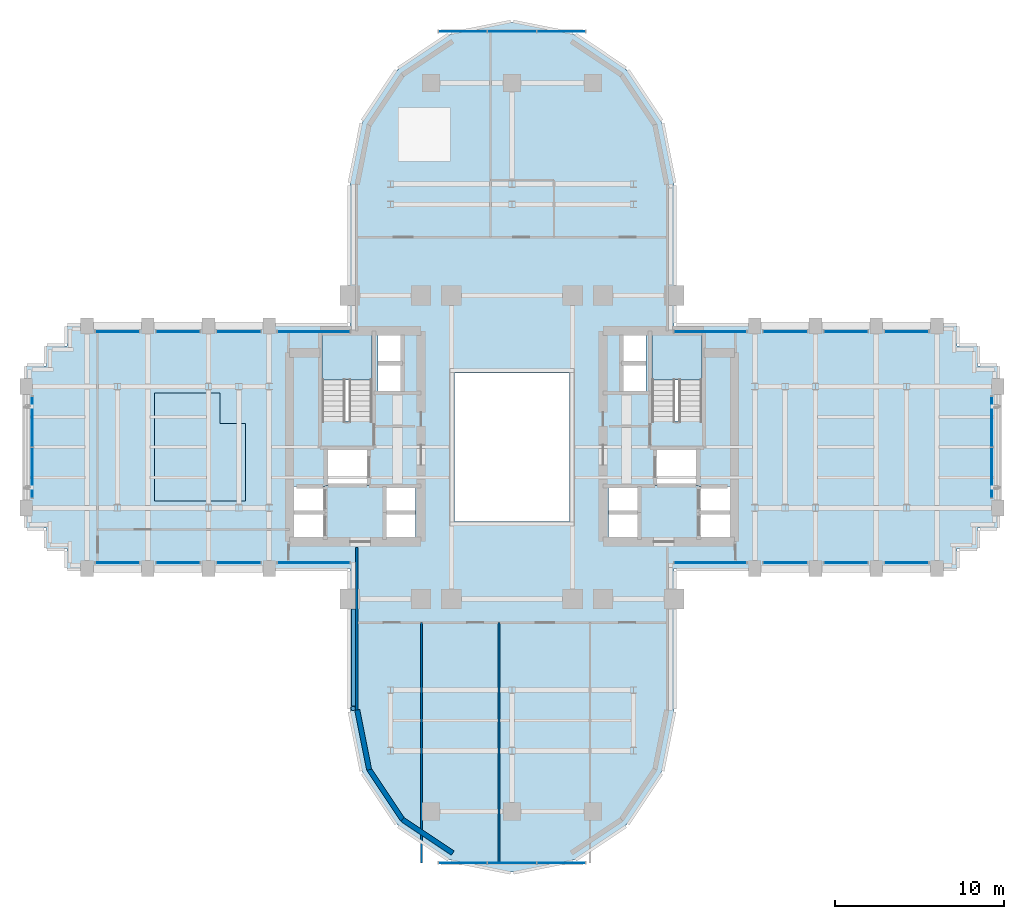
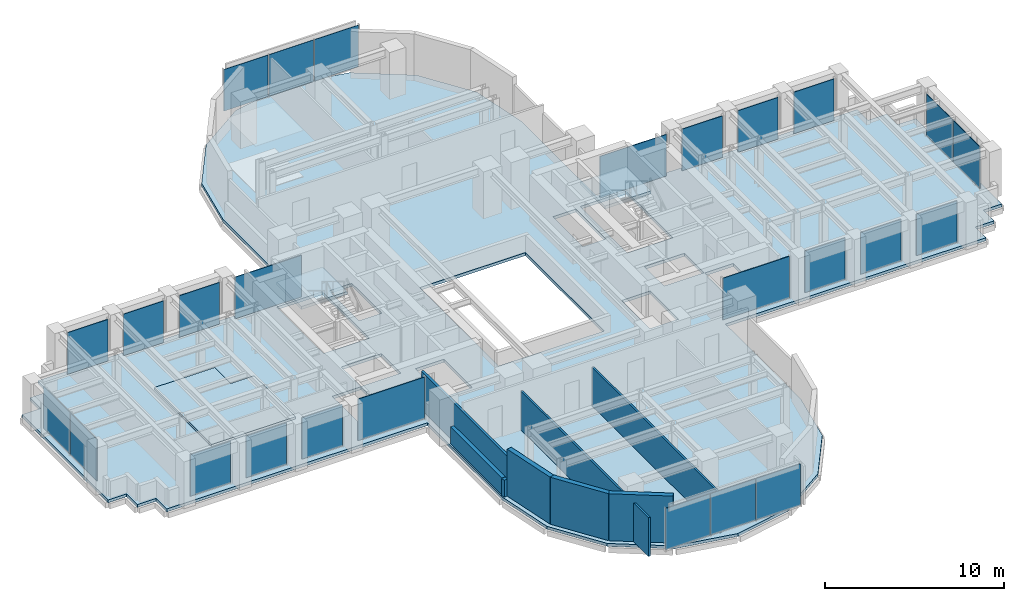
# One storey, part 9 of 16: 26 plates, 8 walls, 4 slabs, 22 elements without a shape of their own.
"""IFC4 building model written with IfcOpenShell, lengths in metres."""

from ifc_helpers import new_model, si_unit, direction, frame, frame_2d, origin, origin_2d, place, context, subcontext, project, spatial, polyline, rectangle, outline, extrude, source, transform, mapped, material, layer, layer_set, type_object, element, aggregate, save


model = new_model("IFC4")

# Units and contexts
model_context = context("Model", 3, precision=1e-05, world=origin(), true_north=direction((0.0, 1.0)))
body_context = subcontext(model_context, "Body", "Model", "MODEL_VIEW")
ifc_project = project(units=[si_unit("LENGTHUNIT", "METRE"), si_unit("AREAUNIT", "SQUARE_METRE"), si_unit("VOLUMEUNIT", "CUBIC_METRE"), si_unit("PLANEANGLEUNIT", "RADIAN"), si_unit("MASSUNIT", "GRAM", prefix="KILO")], contexts=[model_context])

# Site, building, storey
site_placement = place(None, origin())
site = spatial("IfcSite", under=ifc_project, at=site_placement, CompositionType="ELEMENT")
building_placement = place(site_placement, origin())
building = spatial("IfcBuilding", under=site, at=building_placement, Name="Keilestroom Media Tower", CompositionType="ELEMENT")
storey_placement = place(building_placement, frame((0.0, 0.0, 71.39990234375)))
storey = spatial("IfcBuildingStorey", under=building, at=storey_placement, Name="L18", CompositionType="ELEMENT", Elevation=71.39990234375)

# Slabs
ifc_material_1 = material(Name="Concrete C50/60", Category="concrete")
ifc_layer_1 = layer(ifc_material_1, 0.199951171875)
ifc_layer_set_1 = layer_set([ifc_layer_1], Name="Concrete C50/60")
slab_type_1 = type_object("IfcSlabType", Name="Composite-Floor-Slab-200", PredefinedType="FLOOR", material=ifc_layer_set_1)
slab_1_placement = place(storey_placement, frame((0.0, 0.0, -0.199951171875)))
element("IfcSlab", 1, at=slab_1_placement, inside=storey, type_object=slab_type_1, Name="L18 Structural Composite Floor Slab", PredefinedType="FLOOR", context=body_context, shape_type="SweptSolid", body=[
    extrude(outline(polyline([(28.800048828125, -4.800048828125), (28.800048828125, 4.800048828125), (27.60009765625, 4.800048828125), (27.60009765625, 6.0), (26.39990234375, 6.0), (26.39990234375, 7.199951171875), (9.60009765625, 7.199951171875), (9.60009765625, 9.60009765625), (9.60009765625, 15.60009765625), (8.869140625, 19.273681640625), (6.7880859375, 22.38818359375), (3.673828125, 24.46923828125), (0.0, 25.199951171875), (-3.673828125, 24.46923828125), (-6.7880859375, 22.38818359375), (-8.869140625, 19.273681640625), (-9.60009765625, 15.60009765625), (-9.60009765625, 9.60009765625), (-9.60009765625, 7.199951171875), (-26.39990234375, 7.199951171875), (-26.39990234375, 6.0), (-27.60009765625, 6.0), (-27.60009765625, 4.800048828125), (-28.800048828125, 4.800048828125), (-28.800048828125, -4.800048828125), (-27.60009765625, -4.800048828125), (-27.60009765625, -6.0), (-26.39990234375, -6.0), (-26.39990234375, -7.199951171875), (-9.60009765625, -7.199951171875), (-9.60009765625, -9.60009765625), (-9.60009765625, -15.60009765625), (-8.869140625, -19.273681640625), (-6.7880859375, -22.38818359375), (-3.673828125, -24.46923828125), (0.0, -25.199951171875), (3.673828125, -24.46923828125), (6.7880859375, -22.38818359375), (8.869140625, -19.273681640625), (9.60009765625, -15.60009765625), (9.60009765625, -9.60009765625), (9.60009765625, -7.199951171875), (26.39990234375, -7.199951171875), (26.39990234375, -6.0), (27.60009765625, -6.0), (27.60009765625, -4.800048828125), (28.800048828125, -4.800048828125)]), holes=[polyline([(-12.919921875, -5.47998046875), (-12.919921875, -2.320068359375), (-11.080078125, -2.320068359375), (-11.080078125, -5.47998046875), (-12.919921875, -5.47998046875)]), polyline([(-11.260009765625, 1.544921875), (-11.260009765625, 6.760009765625), (-8.300048828125, 6.760009765625), (-8.300048828125, 1.544921875), (-11.260009765625, 1.544921875)]), polyline([(-11.050048828125, -2.280029296875), (-11.050048828125, -0.10009765625), (-8.47998046875, -0.10009765625), (-8.47998046875, -2.280029296875), (-11.050048828125, -2.280029296875)]), polyline([(-7.949951171875, 3.300048828125), (-7.949951171875, 6.64990234375), (-6.47998046875, 6.64990234375), (-6.47998046875, 3.300048828125), (-7.949951171875, 3.300048828125)]), polyline([(-7.56005859375, -5.47998046875), (-7.56005859375, -2.320068359375), (-5.719970703125, -2.320068359375), (-5.719970703125, -5.47998046875), (-7.56005859375, -5.47998046875)]), polyline([(-3.39990234375, -4.39990234375), (-3.39990234375, 4.39990234375), (3.39990234375, 4.39990234375), (3.39990234375, -4.39990234375), (-3.39990234375, -4.39990234375)]), polyline([(5.719970703125, -5.47998046875), (5.719970703125, -2.320068359375), (7.56005859375, -2.320068359375), (7.56005859375, -5.47998046875), (5.719970703125, -5.47998046875)]), polyline([(7.949951171875, 6.64990234375), (7.949951171875, 3.300048828125), (6.47998046875, 3.300048828125), (6.47998046875, 6.64990234375), (7.949951171875, 6.64990234375)]), polyline([(8.300048828125, 6.760009765625), (11.260009765625, 6.760009765625), (11.260009765625, 1.544921875), (8.300048828125, 1.544921875), (8.300048828125, 6.760009765625)]), polyline([(8.47998046875, -2.280029296875), (8.47998046875, -0.10009765625), (11.050048828125, -0.10009765625), (11.050048828125, -2.280029296875), (8.47998046875, -2.280029296875)]), polyline([(12.919921875, -5.47998046875), (11.080078125, -5.47998046875), (11.080078125, -2.320068359375), (12.919921875, -2.320068359375), (12.919921875, -5.47998046875)])]), origin(), (0.0, 0.0, 1.0), 0.199951171875),
])
ifc_material_2 = material(Name="Concrete C45/55", Category="concrete")
ifc_layer_2 = layer(ifc_material_2, 0.14990234375)
ifc_layer_set_2 = layer_set([ifc_layer_2], Name="Concrete C45/55")
slab_type_2 = type_object("IfcSlabType", Name="Floating-Studio-Floor-Slab-150", PredefinedType="FLOOR", material=ifc_layer_set_2)
slab_2_placement = place(storey_placement, origin())
element("IfcSlab", 2, at=slab_2_placement, inside=storey, type_object=slab_type_2, Name="L18 Acoustic Floating Studio Slab ST-VAR-Z1", PredefinedType="FLOOR", context=body_context, shape_type="SweptSolid", body=[
    extrude(outline(polyline([(-21.199951171875, -3.199951171875), (-15.800048828125, -3.199951171875), (-15.800048828125, 1.407958984375), (-17.31201171875, 1.407958984375), (-17.31201171875, 3.199951171875), (-21.199951171875, 3.199951171875), (-21.199951171875, -3.199951171875)])), origin(), (0.0, 0.0, 1.0), 0.150146484375),
])

# Stair, slab
stair_type = type_object("IfcStairType", Name="Enclosed-Dog-Leg-Stair-ST-CORE", PredefinedType="HALF_TURN_STAIR", material=ifc_material_2)
stair_1_placement = place(storey_placement, origin())
stair_1 = element("IfcStair", 3, at=stair_1_placement, inside=storey, type_object=stair_type, Name="L18 West Core Escape Stair ST-1", PredefinedType="HALF_TURN_STAIR")
ifc_layer_3 = layer(ifc_material_2, 0.199951171875)
ifc_layer_set_3 = layer_set([ifc_layer_3], Name="Concrete C45/55")
slab_type_3 = type_object("IfcSlabType", Name="Stair-Intermediate-And-Top-Landing-Slab-200", PredefinedType="LANDING", material=ifc_layer_set_3)
slab_3_placement = place(storey_placement, frame((0.0, 0.0, 1.5)))
slab_3 = element("IfcSlab", 4, at=slab_3_placement, type_object=slab_type_3, Name="ST-1 landing 1", PredefinedType="LANDING", context=body_context, shape_type="SweptSolid", body=[
    extrude(outline(polyline([(-8.300048828125, 3.99609375), (-8.300048828125, 6.760009765625), (-11.260009765625, 6.760009765625), (-11.260009765625, 3.99609375), (-8.300048828125, 3.99609375)])), origin(), (0.0, 0.0, 1.0), 0.2001953125),
])
aggregate(stair_1, [slab_3])

stair_2_placement = place(storey_placement, origin())
stair_2 = element("IfcStair", 5, at=stair_2_placement, inside=storey, type_object=stair_type, Name="L18 East Core Escape Stair ST-2", PredefinedType="HALF_TURN_STAIR")
slab_4_placement = place(storey_placement, frame((0.0, 0.0, 1.5)))
slab_4 = element("IfcSlab", 6, at=slab_4_placement, type_object=slab_type_3, Name="ST-2 landing 1", PredefinedType="LANDING", context=body_context, shape_type="SweptSolid", body=[
    extrude(outline(polyline([(11.260009765625, 3.99609375), (11.260009765625, 6.760009765625), (8.300048828125, 6.760009765625), (8.300048828125, 3.99609375), (11.260009765625, 3.99609375)])), origin(), (0.0, 0.0, 1.0), 0.2001953125),
])
aggregate(stair_2, [slab_4])

# Curtain wall, plates
ifc_material_3 = material(Name="Anodised Aluminium Alloy", Category="aluminium")
curtain_wall_type_1 = type_object("IfcCurtainWallType", Name="Unitised-Curtain-Wall-CW-1", PredefinedType="NOTDEFINED", material=ifc_material_3)
curtain_wall_1_placement = place(storey_placement, origin())
curtain_wall_1 = element("IfcCurtainWall", 7, at=curtain_wall_1_placement, inside=storey, type_object=curtain_wall_type_1, Name="L18 Curtain Wall CW-1 CW-L18-W-1", PredefinedType="NOTDEFINED")
ifc_material_4 = material(Name="Double Glazed Low-E Unit", Category="glass")
ifc_layer_4 = layer(ifc_material_4, 0.0439453125)
ifc_layer_set_4 = layer_set([ifc_layer_4], Name="Double Glazed Low-E Unit")
plate_type_1 = type_object("IfcPlateType", Name="Insulated-Curtain-Wall-Glazing-Panel-CW-1", PredefinedType="CURTAIN_PANEL", material=ifc_layer_set_4)
shared_shape_1 = source(origin(), body_context, "Body", "SweptSolid", [
    extrude(rectangle(XDim=2.968017578125, YDim=0.0439453125, at=origin_2d()), origin(), (0.0, 0.0, 1.0), 2.833984375),
])
plate_1_placement = place(storey_placement, frame((-28.449951171875, -1.514892578125, 0.072998046875), z_axis=(0.0, 0.0, 1.0), x_axis=(0.0, 1.0, 0.0)))
plate_1 = element("IfcPlate", 8, at=plate_1_placement, type_object=plate_type_1, Name="CW-1 Unitised Glazing 00", PredefinedType="CURTAIN_PANEL", context=body_context, shape_type="MappedRepresentation", body=[
    mapped(shared_shape_1, transform((0.0, 0.0, 0.0), x_axis=(1.0, 0.0, 0.0), y_axis=(0.0, 1.0, 0.0), z_axis=(0.0, 0.0, 1.0), scale=1.0)),
])
plate_2_placement = place(storey_placement, frame((-28.449951171875, 1.514892578125, 0.072998046875), z_axis=(0.0, 0.0, 1.0), x_axis=(0.0, 1.0, 0.0)))
plate_2 = element("IfcPlate", 9, at=plate_2_placement, type_object=plate_type_1, Name="CW-1 Unitised Glazing 01", PredefinedType="CURTAIN_PANEL", context=body_context, shape_type="MappedRepresentation", body=[
    mapped(shared_shape_1, transform((0.0, 0.0, 0.0), x_axis=(1.0, 0.0, 0.0), y_axis=(0.0, 1.0, 0.0), z_axis=(0.0, 0.0, 1.0), scale=1.0)),
])
aggregate(curtain_wall_1, [plate_1, plate_2])

curtain_wall_2_placement = place(storey_placement, origin())
curtain_wall_2 = element("IfcCurtainWall", 10, at=curtain_wall_2_placement, inside=storey, type_object=curtain_wall_type_1, Name="L18 Curtain Wall CW-1 CW-L18-E-1", PredefinedType="NOTDEFINED")
plate_3_placement = place(storey_placement, frame((28.449951171875, -1.514892578125, 0.072998046875), z_axis=(0.0, 0.0, 1.0), x_axis=(0.0, 1.0, 0.0)))
plate_3 = element("IfcPlate", 11, at=plate_3_placement, type_object=plate_type_1, Name="CW-1 Unitised Glazing 00", PredefinedType="CURTAIN_PANEL", context=body_context, shape_type="MappedRepresentation", body=[
    mapped(shared_shape_1, transform((0.0, 0.0, 0.0), x_axis=(1.0, 0.0, 0.0), y_axis=(0.0, 1.0, 0.0), z_axis=(0.0, 0.0, 1.0), scale=1.0)),
])
plate_4_placement = place(storey_placement, frame((28.449951171875, 1.514892578125, 0.072998046875), z_axis=(0.0, 0.0, 1.0), x_axis=(0.0, 1.0, 0.0)))
plate_4 = element("IfcPlate", 12, at=plate_4_placement, type_object=plate_type_1, Name="CW-1 Unitised Glazing 01", PredefinedType="CURTAIN_PANEL", context=body_context, shape_type="MappedRepresentation", body=[
    mapped(shared_shape_1, transform((0.0, 0.0, 0.0), x_axis=(1.0, 0.0, 0.0), y_axis=(0.0, 1.0, 0.0), z_axis=(0.0, 0.0, 1.0), scale=1.0)),
])
aggregate(curtain_wall_2, [plate_3, plate_4])

# Curtain wall, plate
curtain_wall_3_placement = place(storey_placement, origin())
curtain_wall_3 = element("IfcCurtainWall", 13, at=curtain_wall_3_placement, inside=storey, type_object=curtain_wall_type_1, Name="L18 Curtain Wall CW-1 CW-L18-NW-1", PredefinedType="NOTDEFINED")
shared_shape_2 = source(origin(), body_context, "Body", "SweptSolid", [
    extrude(rectangle(XDim=2.597900390625, YDim=0.0439453125, at=origin_2d()), origin(), (0.0, 0.0, 1.0), 2.833984375),
])
plate_5_placement = place(storey_placement, frame((-23.39990234375, 6.85009765625, 0.072998046875), z_axis=(0.0, 0.0, 1.0), x_axis=(1.0, 0.0, 0.0)))
plate_5 = element("IfcPlate", 14, at=plate_5_placement, type_object=plate_type_1, Name="CW-1 Unitised Glazing 00", PredefinedType="CURTAIN_PANEL", context=body_context, shape_type="MappedRepresentation", body=[
    mapped(shared_shape_2, transform((0.0, 0.0, 0.0), x_axis=(1.0, 0.0, 0.0), y_axis=(0.0, 1.0, 0.0), z_axis=(0.0, 0.0, 1.0), scale=1.0)),
])
aggregate(curtain_wall_3, [plate_5])

curtain_wall_4_placement = place(storey_placement, origin())
curtain_wall_4 = element("IfcCurtainWall", 15, at=curtain_wall_4_placement, inside=storey, type_object=curtain_wall_type_1, Name="L18 Curtain Wall CW-1 CW-L18-NW-2", PredefinedType="NOTDEFINED")
plate_6_placement = place(storey_placement, frame((-19.800048828125, 6.85009765625, 0.072998046875), z_axis=(0.0, 0.0, 1.0), x_axis=(1.0, 0.0, 0.0)))
plate_6 = element("IfcPlate", 16, at=plate_6_placement, type_object=plate_type_1, Name="CW-1 Unitised Glazing 00", PredefinedType="CURTAIN_PANEL", context=body_context, shape_type="MappedRepresentation", body=[
    mapped(shared_shape_2, transform((0.0, 0.0, 0.0), x_axis=(1.0, 0.0, 0.0), y_axis=(0.0, 1.0, 0.0), z_axis=(0.0, 0.0, 1.0), scale=1.0)),
])
aggregate(curtain_wall_4, [plate_6])

curtain_wall_5_placement = place(storey_placement, origin())
curtain_wall_5 = element("IfcCurtainWall", 17, at=curtain_wall_5_placement, inside=storey, type_object=curtain_wall_type_1, Name="L18 Curtain Wall CW-1 CW-L18-NW-3", PredefinedType="NOTDEFINED")
plate_7_placement = place(storey_placement, frame((-16.199951171875, 6.85009765625, 0.072998046875), z_axis=(0.0, 0.0, 1.0), x_axis=(1.0, 0.0, 0.0)))
plate_7 = element("IfcPlate", 18, at=plate_7_placement, type_object=plate_type_1, Name="CW-1 Unitised Glazing 00", PredefinedType="CURTAIN_PANEL", context=body_context, shape_type="MappedRepresentation", body=[
    mapped(shared_shape_2, transform((0.0, 0.0, 0.0), x_axis=(1.0, 0.0, 0.0), y_axis=(0.0, 1.0, 0.0), z_axis=(0.0, 0.0, 1.0), scale=1.0)),
])
aggregate(curtain_wall_5, [plate_7])

curtain_wall_6_placement = place(storey_placement, origin())
curtain_wall_6 = element("IfcCurtainWall", 19, at=curtain_wall_6_placement, inside=storey, type_object=curtain_wall_type_1, Name="L18 Curtain Wall CW-1 CW-L18-NE-2", PredefinedType="NOTDEFINED")
plate_8_placement = place(storey_placement, frame((16.199951171875, 6.85009765625, 0.072998046875), z_axis=(0.0, 0.0, 1.0), x_axis=(1.0, 0.0, 0.0)))
plate_8 = element("IfcPlate", 20, at=plate_8_placement, type_object=plate_type_1, Name="CW-1 Unitised Glazing 00", PredefinedType="CURTAIN_PANEL", context=body_context, shape_type="MappedRepresentation", body=[
    mapped(shared_shape_2, transform((0.0, 0.0, 0.0), x_axis=(1.0, 0.0, 0.0), y_axis=(0.0, 1.0, 0.0), z_axis=(0.0, 0.0, 1.0), scale=1.0)),
])
aggregate(curtain_wall_6, [plate_8])

curtain_wall_7_placement = place(storey_placement, origin())
curtain_wall_7 = element("IfcCurtainWall", 21, at=curtain_wall_7_placement, inside=storey, type_object=curtain_wall_type_1, Name="L18 Curtain Wall CW-1 CW-L18-NE-3", PredefinedType="NOTDEFINED")
plate_9_placement = place(storey_placement, frame((19.800048828125, 6.85009765625, 0.072998046875), z_axis=(0.0, 0.0, 1.0), x_axis=(1.0, 0.0, 0.0)))
plate_9 = element("IfcPlate", 22, at=plate_9_placement, type_object=plate_type_1, Name="CW-1 Unitised Glazing 00", PredefinedType="CURTAIN_PANEL", context=body_context, shape_type="MappedRepresentation", body=[
    mapped(shared_shape_2, transform((0.0, 0.0, 0.0), x_axis=(1.0, 0.0, 0.0), y_axis=(0.0, 1.0, 0.0), z_axis=(0.0, 0.0, 1.0), scale=1.0)),
])
aggregate(curtain_wall_7, [plate_9])

curtain_wall_8_placement = place(storey_placement, origin())
curtain_wall_8 = element("IfcCurtainWall", 23, at=curtain_wall_8_placement, inside=storey, type_object=curtain_wall_type_1, Name="L18 Curtain Wall CW-1 CW-L18-NE-4", PredefinedType="NOTDEFINED")
plate_10_placement = place(storey_placement, frame((23.39990234375, 6.85009765625, 0.072998046875), z_axis=(0.0, 0.0, 1.0), x_axis=(1.0, 0.0, 0.0)))
plate_10 = element("IfcPlate", 24, at=plate_10_placement, type_object=plate_type_1, Name="CW-1 Unitised Glazing 00", PredefinedType="CURTAIN_PANEL", context=body_context, shape_type="MappedRepresentation", body=[
    mapped(shared_shape_2, transform((0.0, 0.0, 0.0), x_axis=(1.0, 0.0, 0.0), y_axis=(0.0, 1.0, 0.0), z_axis=(0.0, 0.0, 1.0), scale=1.0)),
])
aggregate(curtain_wall_8, [plate_10])

curtain_wall_9_placement = place(storey_placement, origin())
curtain_wall_9 = element("IfcCurtainWall", 25, at=curtain_wall_9_placement, inside=storey, type_object=curtain_wall_type_1, Name="L18 Curtain Wall CW-1 CW-L18-SW-1", PredefinedType="NOTDEFINED")
plate_11_placement = place(storey_placement, frame((-23.39990234375, -6.85009765625, 0.072998046875), z_axis=(0.0, 0.0, 1.0), x_axis=(1.0, 0.0, 0.0)))
plate_11 = element("IfcPlate", 26, at=plate_11_placement, type_object=plate_type_1, Name="CW-1 Unitised Glazing 00", PredefinedType="CURTAIN_PANEL", context=body_context, shape_type="MappedRepresentation", body=[
    mapped(shared_shape_2, transform((0.0, 0.0, 0.0), x_axis=(1.0, 0.0, 0.0), y_axis=(0.0, 1.0, 0.0), z_axis=(0.0, 0.0, 1.0), scale=1.0)),
])
aggregate(curtain_wall_9, [plate_11])

curtain_wall_10_placement = place(storey_placement, origin())
curtain_wall_10 = element("IfcCurtainWall", 27, at=curtain_wall_10_placement, inside=storey, type_object=curtain_wall_type_1, Name="L18 Curtain Wall CW-1 CW-L18-SW-2", PredefinedType="NOTDEFINED")
plate_12_placement = place(storey_placement, frame((-19.800048828125, -6.85009765625, 0.072998046875), z_axis=(0.0, 0.0, 1.0), x_axis=(1.0, 0.0, 0.0)))
plate_12 = element("IfcPlate", 28, at=plate_12_placement, type_object=plate_type_1, Name="CW-1 Unitised Glazing 00", PredefinedType="CURTAIN_PANEL", context=body_context, shape_type="MappedRepresentation", body=[
    mapped(shared_shape_2, transform((0.0, 0.0, 0.0), x_axis=(1.0, 0.0, 0.0), y_axis=(0.0, 1.0, 0.0), z_axis=(0.0, 0.0, 1.0), scale=1.0)),
])
aggregate(curtain_wall_10, [plate_12])

curtain_wall_11_placement = place(storey_placement, origin())
curtain_wall_11 = element("IfcCurtainWall", 29, at=curtain_wall_11_placement, inside=storey, type_object=curtain_wall_type_1, Name="L18 Curtain Wall CW-1 CW-L18-SW-3", PredefinedType="NOTDEFINED")
plate_13_placement = place(storey_placement, frame((-16.199951171875, -6.85009765625, 0.072998046875), z_axis=(0.0, 0.0, 1.0), x_axis=(1.0, 0.0, 0.0)))
plate_13 = element("IfcPlate", 30, at=plate_13_placement, type_object=plate_type_1, Name="CW-1 Unitised Glazing 00", PredefinedType="CURTAIN_PANEL", context=body_context, shape_type="MappedRepresentation", body=[
    mapped(shared_shape_2, transform((0.0, 0.0, 0.0), x_axis=(1.0, 0.0, 0.0), y_axis=(0.0, 1.0, 0.0), z_axis=(0.0, 0.0, 1.0), scale=1.0)),
])
aggregate(curtain_wall_11, [plate_13])

curtain_wall_12_placement = place(storey_placement, origin())
curtain_wall_12 = element("IfcCurtainWall", 31, at=curtain_wall_12_placement, inside=storey, type_object=curtain_wall_type_1, Name="L18 Curtain Wall CW-1 CW-L18-SE-2", PredefinedType="NOTDEFINED")
plate_14_placement = place(storey_placement, frame((16.199951171875, -6.85009765625, 0.072998046875), z_axis=(0.0, 0.0, 1.0), x_axis=(1.0, 0.0, 0.0)))
plate_14 = element("IfcPlate", 32, at=plate_14_placement, type_object=plate_type_1, Name="CW-1 Unitised Glazing 00", PredefinedType="CURTAIN_PANEL", context=body_context, shape_type="MappedRepresentation", body=[
    mapped(shared_shape_2, transform((0.0, 0.0, 0.0), x_axis=(1.0, 0.0, 0.0), y_axis=(0.0, 1.0, 0.0), z_axis=(0.0, 0.0, 1.0), scale=1.0)),
])
aggregate(curtain_wall_12, [plate_14])

curtain_wall_13_placement = place(storey_placement, origin())
curtain_wall_13 = element("IfcCurtainWall", 33, at=curtain_wall_13_placement, inside=storey, type_object=curtain_wall_type_1, Name="L18 Curtain Wall CW-1 CW-L18-SE-3", PredefinedType="NOTDEFINED")
plate_15_placement = place(storey_placement, frame((19.800048828125, -6.85009765625, 0.072998046875), z_axis=(0.0, 0.0, 1.0), x_axis=(1.0, 0.0, 0.0)))
plate_15 = element("IfcPlate", 34, at=plate_15_placement, type_object=plate_type_1, Name="CW-1 Unitised Glazing 00", PredefinedType="CURTAIN_PANEL", context=body_context, shape_type="MappedRepresentation", body=[
    mapped(shared_shape_2, transform((0.0, 0.0, 0.0), x_axis=(1.0, 0.0, 0.0), y_axis=(0.0, 1.0, 0.0), z_axis=(0.0, 0.0, 1.0), scale=1.0)),
])
aggregate(curtain_wall_13, [plate_15])

curtain_wall_14_placement = place(storey_placement, origin())
curtain_wall_14 = element("IfcCurtainWall", 35, at=curtain_wall_14_placement, inside=storey, type_object=curtain_wall_type_1, Name="L18 Curtain Wall CW-1 CW-L18-SE-4", PredefinedType="NOTDEFINED")
plate_16_placement = place(storey_placement, frame((23.39990234375, -6.85009765625, 0.072998046875), z_axis=(0.0, 0.0, 1.0), x_axis=(1.0, 0.0, 0.0)))
plate_16 = element("IfcPlate", 36, at=plate_16_placement, type_object=plate_type_1, Name="CW-1 Unitised Glazing 00", PredefinedType="CURTAIN_PANEL", context=body_context, shape_type="MappedRepresentation", body=[
    mapped(shared_shape_2, transform((0.0, 0.0, 0.0), x_axis=(1.0, 0.0, 0.0), y_axis=(0.0, 1.0, 0.0), z_axis=(0.0, 0.0, 1.0), scale=1.0)),
])
aggregate(curtain_wall_14, [plate_16])

curtain_wall_15_placement = place(storey_placement, origin())
curtain_wall_15 = element("IfcCurtainWall", 37, at=curtain_wall_15_placement, inside=storey, type_object=curtain_wall_type_1, Name="L18 Curtain Wall CW-1 CW-L18-NW-4", PredefinedType="NOTDEFINED")
shared_shape_3 = source(origin(), body_context, "Body", "SweptSolid", [
    extrude(rectangle(XDim=4.282958984375, YDim=0.0439453125, at=origin_2d()), origin(), (0.0, 0.0, 1.0), 2.833984375),
])
plate_17_placement = place(storey_placement, frame((-11.757568359375, 6.85009765625, 0.072998046875), z_axis=(0.0, 0.0, 1.0), x_axis=(1.0, 0.0, 0.0)))
plate_17 = element("IfcPlate", 38, at=plate_17_placement, type_object=plate_type_1, Name="CW-1 Unitised Glazing 00", PredefinedType="CURTAIN_PANEL", context=body_context, shape_type="MappedRepresentation", body=[
    mapped(shared_shape_3, transform((0.0, 0.0, 0.0), x_axis=(1.0, 0.0, 0.0), y_axis=(0.0, 1.0, 0.0), z_axis=(0.0, 0.0, 1.0), scale=1.0)),
])
aggregate(curtain_wall_15, [plate_17])

curtain_wall_16_placement = place(storey_placement, origin())
curtain_wall_16 = element("IfcCurtainWall", 39, at=curtain_wall_16_placement, inside=storey, type_object=curtain_wall_type_1, Name="L18 Curtain Wall CW-1 CW-L18-NE-1", PredefinedType="NOTDEFINED")
plate_18_placement = place(storey_placement, frame((11.757568359375, 6.85009765625, 0.072998046875), z_axis=(0.0, 0.0, 1.0), x_axis=(1.0, 0.0, 0.0)))
plate_18 = element("IfcPlate", 40, at=plate_18_placement, type_object=plate_type_1, Name="CW-1 Unitised Glazing 00", PredefinedType="CURTAIN_PANEL", context=body_context, shape_type="MappedRepresentation", body=[
    mapped(shared_shape_3, transform((0.0, 0.0, 0.0), x_axis=(1.0, 0.0, 0.0), y_axis=(0.0, 1.0, 0.0), z_axis=(0.0, 0.0, 1.0), scale=1.0)),
])
aggregate(curtain_wall_16, [plate_18])

curtain_wall_17_placement = place(storey_placement, origin())
curtain_wall_17 = element("IfcCurtainWall", 41, at=curtain_wall_17_placement, inside=storey, type_object=curtain_wall_type_1, Name="L18 Curtain Wall CW-1 CW-L18-SW-4", PredefinedType="NOTDEFINED")
plate_19_placement = place(storey_placement, frame((-11.757568359375, -6.85009765625, 0.072998046875), z_axis=(0.0, 0.0, 1.0), x_axis=(1.0, 0.0, 0.0)))
plate_19 = element("IfcPlate", 42, at=plate_19_placement, type_object=plate_type_1, Name="CW-1 Unitised Glazing 00", PredefinedType="CURTAIN_PANEL", context=body_context, shape_type="MappedRepresentation", body=[
    mapped(shared_shape_3, transform((0.0, 0.0, 0.0), x_axis=(1.0, 0.0, 0.0), y_axis=(0.0, 1.0, 0.0), z_axis=(0.0, 0.0, 1.0), scale=1.0)),
])
aggregate(curtain_wall_17, [plate_19])

curtain_wall_18_placement = place(storey_placement, origin())
curtain_wall_18 = element("IfcCurtainWall", 43, at=curtain_wall_18_placement, inside=storey, type_object=curtain_wall_type_1, Name="L18 Curtain Wall CW-1 CW-L18-SE-1", PredefinedType="NOTDEFINED")
plate_20_placement = place(storey_placement, frame((11.757568359375, -6.85009765625, 0.072998046875), z_axis=(0.0, 0.0, 1.0), x_axis=(1.0, 0.0, 0.0)))
plate_20 = element("IfcPlate", 44, at=plate_20_placement, type_object=plate_type_1, Name="CW-1 Unitised Glazing 00", PredefinedType="CURTAIN_PANEL", context=body_context, shape_type="MappedRepresentation", body=[
    mapped(shared_shape_3, transform((0.0, 0.0, 0.0), x_axis=(1.0, 0.0, 0.0), y_axis=(0.0, 1.0, 0.0), z_axis=(0.0, 0.0, 1.0), scale=1.0)),
])
aggregate(curtain_wall_18, [plate_20])

# Curtain wall, plates
curtain_wall_type_2 = type_object("IfcCurtainWallType", Name="Unitised-Curtain-Wall-CW-6", PredefinedType="NOTDEFINED", material=ifc_material_3)
curtain_wall_19_placement = place(storey_placement, origin())
curtain_wall_19 = element("IfcCurtainWall", 45, at=curtain_wall_19_placement, inside=storey, type_object=curtain_wall_type_2, Name="L18 Curtain Wall CW-6 CW-L18-LN-1", PredefinedType="NOTDEFINED")
ifc_material_5 = material(Name="Curved-Facet Triple Glazed Unit", Category="glass")
ifc_layer_5 = layer(ifc_material_5, 0.033935546875)
ifc_layer_set_5 = layer_set([ifc_layer_5], Name="Curved-Facet Triple Glazed Unit")
plate_type_2 = type_object("IfcPlateType", Name="Insulated-Curtain-Wall-Glazing-Panel-CW-6", PredefinedType="CURTAIN_PANEL", material=ifc_layer_set_5)
shared_shape_4 = source(origin(), body_context, "Body", "SweptSolid", [
    extrude(rectangle(XDim=2.84375, YDim=0.033935546875, at=origin_2d()), origin(), (0.0, 0.0, 1.0), 2.833984375),
])
plate_21_placement = place(storey_placement, frame((-2.9169921875, 24.64990234375, 0.072998046875), z_axis=(0.0, 0.0, 1.0), x_axis=(1.0, 0.0, 0.0)))
plate_21 = element("IfcPlate", 46, at=plate_21_placement, type_object=plate_type_2, Name="CW-6 Unitised Glazing 00", PredefinedType="CURTAIN_PANEL", context=body_context, shape_type="MappedRepresentation", body=[
    mapped(shared_shape_4, transform((0.0, 0.0, 0.0), x_axis=(1.0, 0.0, 0.0), y_axis=(0.0, 1.0, 0.0), z_axis=(0.0, 0.0, 1.0), scale=1.0)),
])
plate_22_placement = place(storey_placement, frame((2.9169921875, 24.64990234375, 0.072998046875), z_axis=(0.0, 0.0, 1.0), x_axis=(1.0, 0.0, 0.0)))
plate_22 = element("IfcPlate", 47, at=plate_22_placement, type_object=plate_type_2, Name="CW-6 Unitised Glazing 02", PredefinedType="CURTAIN_PANEL", context=body_context, shape_type="MappedRepresentation", body=[
    mapped(shared_shape_4, transform((0.0, 0.0, 0.0), x_axis=(1.0, 0.0, 0.0), y_axis=(0.0, 1.0, 0.0), z_axis=(0.0, 0.0, 1.0), scale=1.0)),
])

curtain_wall_20_placement = place(storey_placement, origin())
curtain_wall_20 = element("IfcCurtainWall", 48, at=curtain_wall_20_placement, inside=storey, type_object=curtain_wall_type_2, Name="L18 Curtain Wall CW-6 CW-L18-LS-1", PredefinedType="NOTDEFINED")
plate_23_placement = place(storey_placement, frame((-2.9169921875, -24.64990234375, 0.072998046875), z_axis=(0.0, 0.0, 1.0), x_axis=(1.0, 0.0, 0.0)))
plate_23 = element("IfcPlate", 49, at=plate_23_placement, type_object=plate_type_2, Name="CW-6 Unitised Glazing 00", PredefinedType="CURTAIN_PANEL", context=body_context, shape_type="MappedRepresentation", body=[
    mapped(shared_shape_4, transform((0.0, 0.0, 0.0), x_axis=(1.0, 0.0, 0.0), y_axis=(0.0, 1.0, 0.0), z_axis=(0.0, 0.0, 1.0), scale=1.0)),
])
plate_24_placement = place(storey_placement, frame((2.9169921875, -24.64990234375, 0.072998046875), z_axis=(0.0, 0.0, 1.0), x_axis=(1.0, 0.0, 0.0)))
plate_24 = element("IfcPlate", 50, at=plate_24_placement, type_object=plate_type_2, Name="CW-6 Unitised Glazing 02", PredefinedType="CURTAIN_PANEL", context=body_context, shape_type="MappedRepresentation", body=[
    mapped(shared_shape_4, transform((0.0, 0.0, 0.0), x_axis=(1.0, 0.0, 0.0), y_axis=(0.0, 1.0, 0.0), z_axis=(0.0, 0.0, 1.0), scale=1.0)),
])

# Plate
shared_shape_5 = source(origin(), body_context, "Body", "SweptSolid", [
    extrude(rectangle(XDim=2.876220703125, YDim=0.033935546875, at=origin_2d()), origin(), (0.0, 0.0, 1.0), 2.833984375),
])
plate_25_placement = place(storey_placement, frame((0.0, 24.64990234375, 0.072998046875), z_axis=(0.0, 0.0, 1.0), x_axis=(1.0, 0.0, 0.0)))
plate_25 = element("IfcPlate", 51, at=plate_25_placement, type_object=plate_type_2, Name="CW-6 Unitised Glazing 01", PredefinedType="CURTAIN_PANEL", context=body_context, shape_type="MappedRepresentation", body=[
    mapped(shared_shape_5, transform((0.0, 0.0, 0.0), x_axis=(1.0, 0.0, 0.0), y_axis=(0.0, 1.0, 0.0), z_axis=(0.0, 0.0, 1.0), scale=1.0)),
])

aggregate(curtain_wall_19, [plate_21, plate_25, plate_22])

plate_26_placement = place(storey_placement, frame((0.0, -24.64990234375, 0.072998046875), z_axis=(0.0, 0.0, 1.0), x_axis=(1.0, 0.0, 0.0)))
plate_26 = element("IfcPlate", 52, at=plate_26_placement, type_object=plate_type_2, Name="CW-6 Unitised Glazing 01", PredefinedType="CURTAIN_PANEL", context=body_context, shape_type="MappedRepresentation", body=[
    mapped(shared_shape_5, transform((0.0, 0.0, 0.0), x_axis=(1.0, 0.0, 0.0), y_axis=(0.0, 1.0, 0.0), z_axis=(0.0, 0.0, 1.0), scale=1.0)),
])

aggregate(curtain_wall_20, [plate_23, plate_26, plate_24])

# Walls
ifc_material_6 = material(Name="Precast concrete C40/50", Category="concrete")
ifc_layer_6 = layer(ifc_material_6, 0.300048828125)
ifc_layer_set_6 = layer_set([ifc_layer_6], Name="Precast concrete C40/50")
wall_type_1 = type_object("IfcWallType", Name="Exterior-Masonry-Spandrel-Wall-300", PredefinedType="SOLIDWALL", material=ifc_layer_set_6)
for number, where, z_axis, x_axis, name in (
    (53, (-9.1748046875, -15.585205078125, 0.0), (0.0, 0.0, 1.0), (0.195114232679, -0.980780523974, 0.0), "L18 Lobe Facet Precast Frame Wall 07"),
    (54, (-8.48193359375, -19.097412109375, 0.0), (0.0, 0.0, 1.0), (0.555574187116, -0.831466970246, 0.0), "L18 Lobe Facet Precast Frame Wall 08"),
):
    element("IfcWall", number, at=place(storey_placement, frame(where, z_axis=z_axis, x_axis=x_axis)), inside=storey, type_object=wall_type_1, Name=name, PredefinedType="SOLIDWALL", context=body_context, shape_type="SweptSolid", body=[
        extrude(rectangle(XDim=3.608642578125, YDim=0.300048828125, at=frame_2d((1.80419921875, 0.0))), origin(), (0.0, 0.0, 1.0), 3.2001953125),
    ])
wall_1_placement = place(storey_placement, frame((-6.497802734375, -22.0771484375, 0.0), z_axis=(0.0, 0.0, 1.0), x_axis=(0.8314749531, -0.555562239868, 0.0)))
element("IfcWall", 55, at=wall_1_placement, inside=storey, type_object=wall_type_1, Name="L18 Lobe Facet Precast Frame Wall 09", PredefinedType="SOLIDWALL", context=body_context, shape_type="SweptSolid", body=[
    extrude(rectangle(XDim=3.59326171875, YDim=0.300048828125, at=frame_2d((1.796630859375, 0.0))), origin(), (0.0, 0.0, 1.0), 3.2001953125),
])
ifc_material_7 = material(Name="Gypsum Plasterboard & Steel Stud", Category="steel")
ifc_layer_7 = layer(ifc_material_7, 0.1201171875)
ifc_layer_set_7 = layer_set([ifc_layer_7], Name="Gypsum Plasterboard & Steel Stud")
wall_type_2 = type_object("IfcWallType", Name="Interior-Partition-Wall-120", PredefinedType="PARTITIONING", material=ifc_layer_set_7)
for number, where, z_axis, x_axis, name in (
    (56, (-5.3798828125, -24.64990234375, 0.0), (0.0, 0.0, 1.0), (0.0, 1.0, 0.0), "L18 Interior Wall WP-L18-SL-QV1"),
    (57, (-0.780029296875, -24.64990234375, 0.0), (0.0, 0.0, 1.0), (0.0, 1.0, 0.0), "L18 Interior Wall WP-L18-SL-QV2"),
):
    element("IfcWall", number, at=place(storey_placement, frame(where, z_axis=z_axis, x_axis=x_axis)), inside=storey, type_object=wall_type_2, Name=name, PredefinedType="PARTITIONING", context=body_context, shape_type="SweptSolid", body=[
        extrude(rectangle(XDim=14.25, YDim=0.1201171875, at=frame_2d((7.125, 0.0))), origin(), (0.0, 0.0, 1.0), 2.650146484375),
    ])
ifc_layer_8 = layer(ifc_material_7, 0.14990234375)
ifc_layer_set_8 = layer_set([ifc_layer_8], Name="Gypsum Plasterboard & Steel Stud")
wall_type_3 = type_object("IfcWallType", Name="Interior-Partition-Wall-150", PredefinedType="PARTITIONING", material=ifc_layer_set_8)
wall_2_placement = place(storey_placement, frame((-9.199951171875, -15.679931640625, 0.0), z_axis=(0.0, 0.0, 1.0), x_axis=(0.0, 1.0, 0.0)))
element("IfcWall", 58, at=wall_2_placement, inside=storey, type_object=wall_type_3, Name="L18 Interior Wall WP-L18-SL-CHKW", PredefinedType="PARTITIONING", context=body_context, shape_type="SweptSolid", body=[
    extrude(rectangle(XDim=9.739990234375, YDim=0.14990234375, at=frame_2d((4.8701171875, 0.0))), origin(), (0.0, 0.0, 1.0), 2.650146484375),
])
ifc_layer_9 = layer(ifc_material_6, 0.239990234375)
ifc_layer_set_9 = layer_set([ifc_layer_9], Name="Precast concrete C40/50")
wall_type_4 = type_object("IfcWallType", Name="Roof-And-Terrace-Parapet-Wall-240", PredefinedType="PARAPET", material=ifc_layer_set_9)
wall_3_placement = place(storey_placement, frame((-9.395263671875, -15.604248046875, 0.0), z_axis=(0.0, 0.0, 1.0), x_axis=(-0.194652052864, 0.980872355771, 0.0)))
element("IfcWall", 59, at=wall_3_placement, inside=storey, type_object=wall_type_4, Name="L18 Perimeter Edge Parapet Wall 09", PredefinedType="PARAPET", context=body_context, shape_type="SweptSolid", body=[
    extrude(rectangle(XDim=0.224609375, YDim=0.239990234375, at=frame_2d((0.1123046875, 0.0))), origin(), (0.0, 0.0, 1.0), 1.150146484375),
])
wall_4_placement = place(storey_placement, frame((-9.39990234375, -15.357666015625, 0.0), z_axis=(0.0, 0.0, 1.0), x_axis=(0.0, 1.0, 0.0)))
element("IfcWall", 60, at=wall_4_placement, inside=storey, type_object=wall_type_4, Name="L18 Perimeter Edge Parapet Wall 10", PredefinedType="PARAPET", context=body_context, shape_type="SweptSolid", body=[
    extrude(rectangle(XDim=5.754638671875, YDim=0.239990234375, at=frame_2d((2.87744140625, 0.0))), origin(), (0.0, 0.0, 1.0), 1.150146484375),
])

save(model, "model.ifc")
